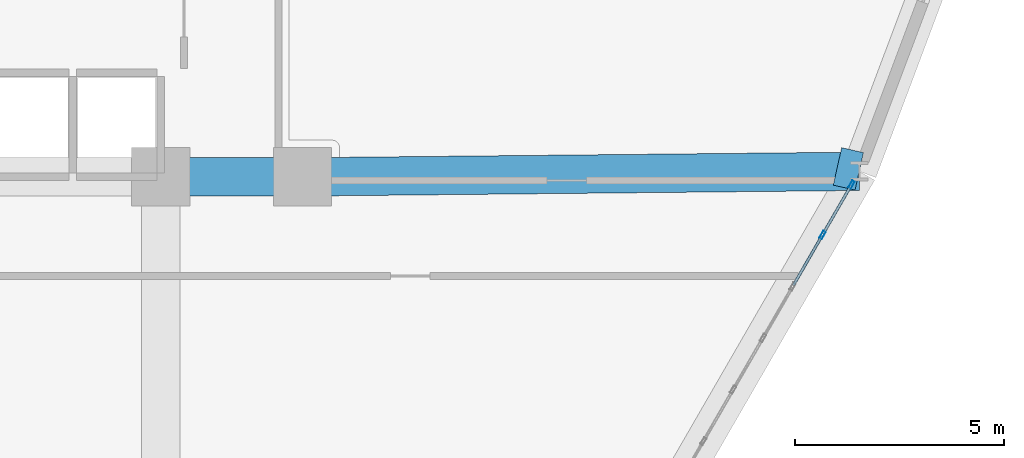
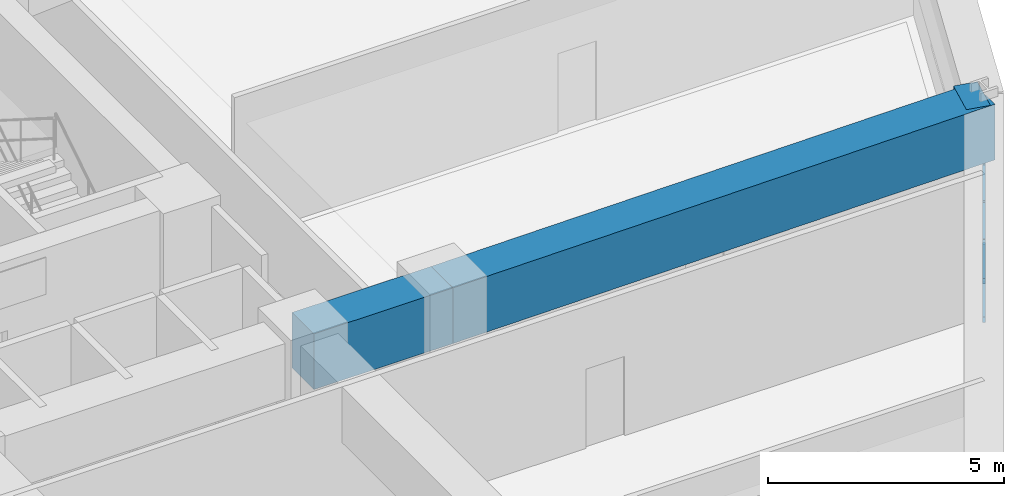
# One storey, part 7 of 17: 6 members, 3 beams, 1 element without a shape of its own.
"""IFC4 building model written with IfcOpenShell, lengths in metres."""

from ifc_helpers import new_model, si_unit, derived_unit, direction, frame, origin, origin_2d, place, context, subcontext, project, spatial, rectangle, hollow_rectangle, extrude, source, transform, mapped, material, layer, layer_set, material_profile, profile_set, type_object, element, aggregate, save


model = new_model("IFC4")

# Units and contexts
model_context = context("Model", 3, precision=1e-05, world=origin(), true_north=direction((0.0, 1.0)))
body_context = subcontext(model_context, "Body", "Model", "MODEL_VIEW")
ifc_project = project(units=[si_unit("LENGTHUNIT", "METRE"), si_unit("AREAUNIT", "SQUARE_METRE"), si_unit("VOLUMEUNIT", "CUBIC_METRE"), si_unit("PLANEANGLEUNIT", "RADIAN"), si_unit("MASSUNIT", "GRAM", prefix="KILO"), derived_unit("THERMALTRANSMITTANCEUNIT", [(si_unit("POWERUNIT", "WATT"), 1), (si_unit("LENGTHUNIT", "METRE"), -2), (si_unit("THERMODYNAMICTEMPERATUREUNIT", "KELVIN"), -1)])], contexts=[model_context])

# Site, building, storey
site_placement = place(None, origin())
site = spatial("IfcSite", under=ifc_project, at=site_placement, CompositionType="ELEMENT")
building_placement = place(site_placement, origin())
building = spatial("IfcBuilding", under=site, at=building_placement, Name="Korsvarv Bourse and Concert Hall", CompositionType="ELEMENT")
storey_placement = place(building_placement, frame((0.0, 0.0, 83.39990234375)))
storey = spatial("IfcBuildingStorey", under=building, at=storey_placement, Name="L20", CompositionType="ELEMENT", Elevation=83.39990234375)

# Beams
ifc_material_1 = material(Name="Concrete C50/60", Category="concrete")
ifc_material_profile_1 = material_profile(ifc_material_1, rectangle(XDim=0.919921875, YDim=1.43994140625, at=origin_2d()), Name="RC-BM 920x1440")
ifc_profile_set_1 = profile_set([ifc_material_profile_1], Name="Concrete C50/60")
beam_type = type_object("IfcBeamType", Name="BM-TR-144", PredefinedType="BEAM", material=ifc_profile_set_1)
shared_shape_1 = source(origin(), body_context, "Body", "SweptSolid", [
    extrude(rectangle(XDim=0.919921875, YDim=1.43994140625, at=origin_2d()), origin(), (0.0, 0.0, 1.0), 3.400146484375),
])
beam_1_placement = place(storey_placement, frame((44.39990234375, 32.39990234375, 2.960205078125), z_axis=(1.0, 0.0, 0.0), x_axis=(0.0, 1.0, 0.0)))
element("IfcBeam", 1, at=beam_1_placement, inside=storey, type_object=beam_type, Name="L20 beam B-TR4", PredefinedType="BEAM", context=body_context, shape_type="MappedRepresentation", body=[
    mapped(shared_shape_1, transform((0.0, 0.0, 0.0), scale=1.0)),
])
shared_shape_2 = source(origin(), body_context, "Body", "SweptSolid", [
    extrude(rectangle(XDim=0.919921875, YDim=1.43994140625, at=origin_2d()), origin(), (0.0, 0.0, 1.0), 13.341064453125),
])
beam_2_placement = place(storey_placement, frame((61.140380859375, 32.5341796875, 2.960205078125), z_axis=(-0.999949346529, -0.010065007514, 0.0), x_axis=(0.010065007514, -0.999949346529, 0.0)))
element("IfcBeam", 2, at=beam_2_placement, inside=storey, type_object=beam_type, Name="L20 beam B-TR4", PredefinedType="BEAM", context=body_context, shape_type="MappedRepresentation", body=[
    mapped(shared_shape_2, transform((0.0, 0.0, 0.0), scale=1.0)),
])
shared_shape_3 = source(origin(), body_context, "Body", "SweptSolid", [
    extrude(rectangle(XDim=0.919921875, YDim=1.43994140625, at=origin_2d()), origin(), (0.0, 0.0, 1.0), 0.534423828125),
])
beam_3_placement = place(storey_placement, frame((61.140380859375, 32.5341796875, 2.960205078125), z_axis=(-0.975863488588, 0.218381436117, 0.0), x_axis=(-0.218381436117, -0.975863488588, 0.0)))
element("IfcBeam", 3, at=beam_3_placement, inside=storey, type_object=beam_type, Name="L20 beam B-TR4", PredefinedType="BEAM", context=body_context, shape_type="MappedRepresentation", body=[
    mapped(shared_shape_3, transform((0.0, 0.0, 0.0), scale=1.0)),
])

# Curtain wall, members
ifc_material_2 = material(Name="Anodised aluminium and triple low-E glazing", Category="glass")
ifc_layer = layer(ifc_material_2, 0.219970703125)
ifc_layer_set = layer_set([ifc_layer], Name="Anodised aluminium and triple low-E glazing")
curtain_wall_type = type_object("IfcCurtainWallType", Name="CW-SYS-1", PredefinedType="NOTDEFINED", material=ifc_layer_set)
curtain_wall_placement = place(storey_placement, origin())
curtain_wall = element("IfcCurtainWall", 4, at=curtain_wall_placement, inside=storey, type_object=curtain_wall_type, Name="L20 CW1 curtain wall CW-L20-F11", PredefinedType="NOTDEFINED")
ifc_material_3 = material(Name="Extruded aluminium EN AW-6063 T66", Category="aluminium")
ifc_material_profile_2 = material_profile(ifc_material_3, hollow_rectangle(XDim=0.070068359375, YDim=0.18994140625, WallThickness=0.0048828125, at=origin_2d()), Name="ALU-M 70x190")
ifc_profile_set_2 = profile_set([ifc_material_profile_2], Name="Extruded aluminium EN AW-6063 T66")
member_type_1 = type_object("IfcMemberType", Name="CWM-190", PredefinedType="MULLION", material=ifc_profile_set_2)
shared_shape_4 = source(origin(), body_context, "Body", "SweptSolid", [
    extrude(hollow_rectangle(XDim=0.070068359375, YDim=0.18994140625, WallThickness=0.0048828125, at=origin_2d()), origin(), (0.0, 0.0, 1.0), 2.080078125),
])
member_1_placement = place(storey_placement, frame((60.260986328125, 31.010986328125, 0.0), z_axis=(0.0, 0.0, 1.0), x_axis=(-0.866024243871, 0.500002009023, 0.0)))
member_1 = element("IfcMember", 5, at=member_1_placement, type_object=member_type_1, Name="CW1 mullion 10", PredefinedType="MULLION", context=body_context, shape_type="MappedRepresentation", body=[
    mapped(shared_shape_4, transform((0.0, 0.0, 0.0), scale=1.0)),
])
member_2_placement = place(storey_placement, frame((60.95703125, 32.216796875, 0.0), z_axis=(0.0, 0.0, 1.0), x_axis=(-0.866024243871, 0.500002009023, 0.0)))
member_2 = element("IfcMember", 6, at=member_2_placement, type_object=member_type_1, Name="CW1 mullion 11", PredefinedType="MULLION", context=body_context, shape_type="MappedRepresentation", body=[
    mapped(shared_shape_4, transform((0.0, 0.0, 0.0), scale=1.0)),
])
ifc_material_profile_3 = material_profile(ifc_material_3, hollow_rectangle(XDim=0.06494140625, YDim=0.139892578125, WallThickness=0.00390625, at=origin_2d()), Name="ALU-T 65x140")
ifc_profile_set_3 = profile_set([ifc_material_profile_3], Name="Extruded aluminium EN AW-6063 T66")
member_type_2 = type_object("IfcMemberType", Name="CWT-140", PredefinedType="USERDEFINED", material=ifc_profile_set_3)
shared_shape_5 = source(origin(), body_context, "Body", "SweptSolid", [
    extrude(hollow_rectangle(XDim=0.06494140625, YDim=0.139892578125, WallThickness=0.00390625, at=origin_2d()), origin(), (0.0, 0.0, 1.0), 1.322509765625),
])
member_3_placement = place(storey_placement, frame((60.2783203125, 31.041259765625, 0.03271484375), z_axis=(0.500089975731, 0.865973450039, 0.0), x_axis=(-0.865973450039, 0.500089975731, 0.0)))
member_3 = element("IfcMember", 7, at=member_3_placement, type_object=member_type_2, Name="CW1 transom 10.1", ObjectType="TRANSOM", PredefinedType="USERDEFINED", context=body_context, shape_type="MappedRepresentation", body=[
    mapped(shared_shape_5, transform((0.0, 0.0, 0.0), scale=1.0)),
])
member_4_placement = place(storey_placement, frame((60.2783203125, 31.041259765625, 2.047607421875), z_axis=(0.500089975731, 0.865973450039, 0.0), x_axis=(-0.865973450039, 0.500089975731, 0.0)))
member_4 = element("IfcMember", 8, at=member_4_placement, type_object=member_type_2, Name="CW1 transom 10.2", ObjectType="TRANSOM", PredefinedType="USERDEFINED", context=body_context, shape_type="MappedRepresentation", body=[
    mapped(shared_shape_5, transform((0.0, 0.0, 0.0), scale=1.0)),
])
shared_shape_6 = source(origin(), body_context, "Body", "SweptSolid", [
    extrude(hollow_rectangle(XDim=0.06494140625, YDim=0.139892578125, WallThickness=0.00390625, at=origin_2d()), origin(), (0.0, 0.0, 1.0), 1.357421875),
])
member_5_placement = place(storey_placement, frame((59.564697265625, 29.80517578125, 0.03271484375), z_axis=(0.500007885066, 0.866020851292, 0.0), x_axis=(-0.866020851292, 0.500007885066, 0.0)))
member_5 = element("IfcMember", 9, at=member_5_placement, type_object=member_type_2, Name="CW1 transom 9.1", ObjectType="TRANSOM", PredefinedType="USERDEFINED", context=body_context, shape_type="MappedRepresentation", body=[
    mapped(shared_shape_6, transform((0.0, 0.0, 0.0), scale=1.0)),
])
member_6_placement = place(storey_placement, frame((59.564697265625, 29.80517578125, 2.047607421875), z_axis=(0.500007885066, 0.866020851292, 0.0), x_axis=(-0.866020851292, 0.500007885066, 0.0)))
member_6 = element("IfcMember", 10, at=member_6_placement, type_object=member_type_2, Name="CW1 transom 9.2", ObjectType="TRANSOM", PredefinedType="USERDEFINED", context=body_context, shape_type="MappedRepresentation", body=[
    mapped(shared_shape_6, transform((0.0, 0.0, 0.0), scale=1.0)),
])
aggregate(curtain_wall, [member_1, member_2, member_5, member_6, member_3, member_4])

save(model, "model.ifc")
